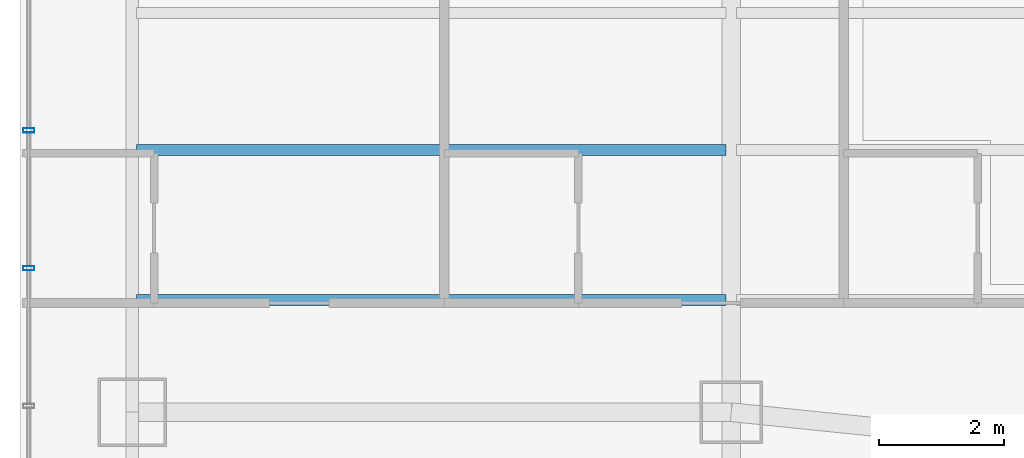
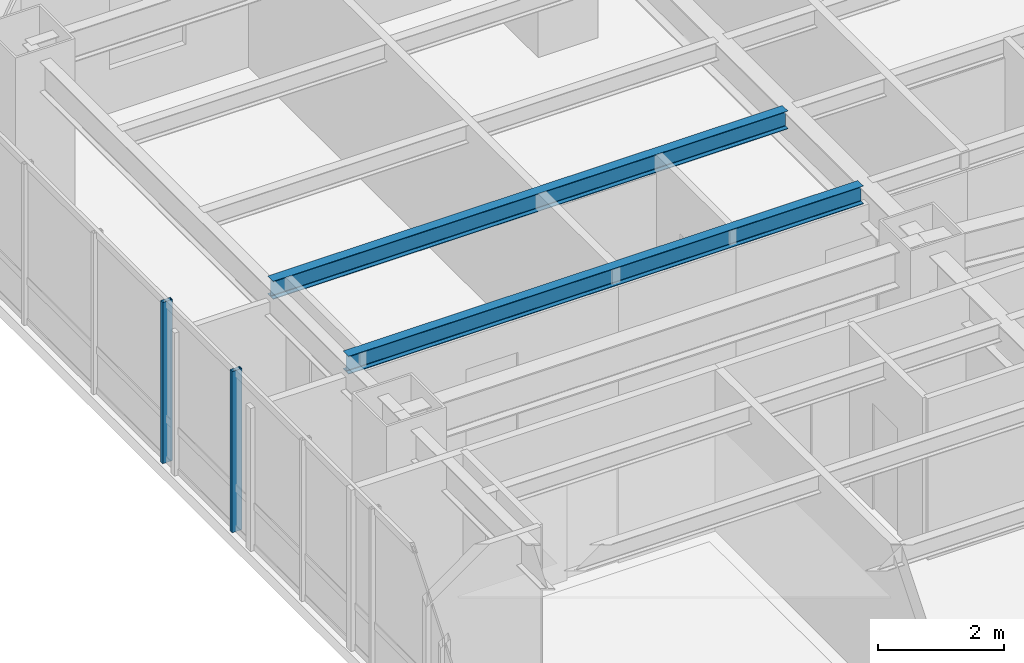
# One storey, part 20 of 38: 2 beams, 2 members, 1 element without a shape of its own.
"""IFC4 building model written with IfcOpenShell, lengths in metres."""

from ifc_helpers import new_model, si_unit, direction, frame, origin, origin_2d, place, context, subcontext, project, spatial, hollow_rectangle, i_section, extrude, material, layer, layer_set, material_profile, profile_set, type_object, element, aggregate, save


model = new_model("IFC4")

# Units and contexts
model_context = context("Model", 3, precision=1e-05, world=origin(), true_north=direction((0.0, 1.0)))
body_context = subcontext(model_context, "Body", "Model", "MODEL_VIEW")
ifc_project = project(units=[si_unit("LENGTHUNIT", "METRE"), si_unit("AREAUNIT", "SQUARE_METRE"), si_unit("VOLUMEUNIT", "CUBIC_METRE"), si_unit("PLANEANGLEUNIT", "RADIAN"), si_unit("MASSUNIT", "GRAM", prefix="KILO")], contexts=[model_context])

# Site, building, storey
site_placement = place(None, origin())
site = spatial("IfcSite", under=ifc_project, at=site_placement, CompositionType="ELEMENT")
building_placement = place(site_placement, origin())
building = spatial("IfcBuilding", under=site, at=building_placement, Name="Hatsunagi Terrace Concourse", CompositionType="ELEMENT")
storey_placement = place(building_placement, frame((0.0, 0.0, 63.39990234375)))
storey = spatial("IfcBuildingStorey", under=building, at=storey_placement, Name="L16", CompositionType="ELEMENT", Elevation=63.39990234375)

# Curtain wall, members
ifc_material_1 = material(Name="Anodised Aluminium Alloy 6063-T5", Category="aluminium")
ifc_layer = layer(ifc_material_1, 0.199951171875)
ifc_layer_set = layer_set([ifc_layer], Name="HotelFacade_CW02")
curtain_wall_type = type_object("IfcCurtainWallType", Name="HotelFacade_CW02", PredefinedType="NOTDEFINED", material=ifc_layer_set)
curtain_wall_placement = place(storey_placement, origin())
curtain_wall = element("IfcCurtainWall", 1, at=curtain_wall_placement, inside=storey, type_object=curtain_wall_type, Name="Unitised Curtain Wall CW-02 CW-L16-09", PredefinedType="NOTDEFINED")
ifc_material_2 = material(Name="Anodised Aluminium Alloy 6063-T5", Category="aluminium")
ifc_material_profile_1 = material_profile(ifc_material_2, hollow_rectangle(XDim=0.070068359375, YDim=0.179931640625, WallThickness=0.00390625, at=origin_2d()), Name="ALU-MUL-180x70x4")
ifc_profile_set_1 = profile_set([ifc_material_profile_1], Name="Anodised Aluminium Alloy 6063-T5")
member_type = type_object("IfcMemberType", Name="CurtainWallMullion_180x70", PredefinedType="MULLION", material=ifc_profile_set_1)
member_1_placement = place(storey_placement, frame((0.139892578125, 39.10791015625, 0.0), z_axis=(0.0, 0.0, 1.0), x_axis=(0.0, 1.0, 0.0)))
member_1 = element("IfcMember", 2, at=member_1_placement, type_object=member_type, Name="Curtain Wall Mullion MUL-02", PredefinedType="MULLION", context=body_context, shape_type="SweptSolid", body=[
    extrude(hollow_rectangle(XDim=0.070068359375, YDim=0.179931640625, WallThickness=0.00390625, at=origin_2d()), origin(), (0.0, 0.0, 1.0), 3.130126953125),
])
member_2_placement = place(storey_placement, frame((0.139892578125, 41.31689453125, 0.0), z_axis=(0.0, 0.0, 1.0), x_axis=(0.0, 1.0, 0.0)))
member_2 = element("IfcMember", 3, at=member_2_placement, type_object=member_type, Name="Curtain Wall Mullion MUL-02", PredefinedType="MULLION", context=body_context, shape_type="SweptSolid", body=[
    extrude(hollow_rectangle(XDim=0.070068359375, YDim=0.179931640625, WallThickness=0.00390625, at=origin_2d()), origin(), (0.0, 0.0, 1.0), 3.130126953125),
])
aggregate(curtain_wall, [member_1, member_2])

# Beams
ifc_material_3 = material(Name="Steel SN490B", Category="steel")
ifc_material_profile_2 = material_profile(ifc_material_3, i_section(OverallWidth=0.175048828125, OverallDepth=0.35009765625, WebThickness=0.007080078125, FlangeThickness=0.010986328125, FilletRadius=0.012939453125, at=origin_2d()), Name="H-350x175x7x11")
ifc_profile_set_2 = profile_set([ifc_material_profile_2], Name="Steel SN490B")
beam_type = type_object("IfcBeamType", Name="HotelJoist_H_350x175", PredefinedType="JOIST", material=ifc_profile_set_2)
for number, where, z_axis, x_axis, name in (
    (4, (1.864990234375, 38.60009765625, 2.955078125), (1.0, 0.0, 0.0), (0.0, 1.0, 0.0), "Beam J-02 J-L16-W-1-386"),
    (5, (1.864990234375, 41.0, 2.955078125), (1.0, 0.0, 0.0), (0.0, 1.0, 0.0), "Beam J-02 J-L16-W-1-410"),
):
    element("IfcBeam", number, at=place(storey_placement, frame(where, z_axis=z_axis, x_axis=x_axis)), inside=storey, type_object=beam_type, Name=name, PredefinedType="JOIST", context=body_context, shape_type="SweptSolid", body=[
        extrude(i_section(OverallWidth=0.175048828125, OverallDepth=0.35009765625, WebThickness=0.007080078125, FlangeThickness=0.010986328125, FilletRadius=0.012939453125, at=origin_2d()), origin(), (0.0, 0.0, 1.0), 9.449951171875),
    ])

save(model, "model.ifc")
